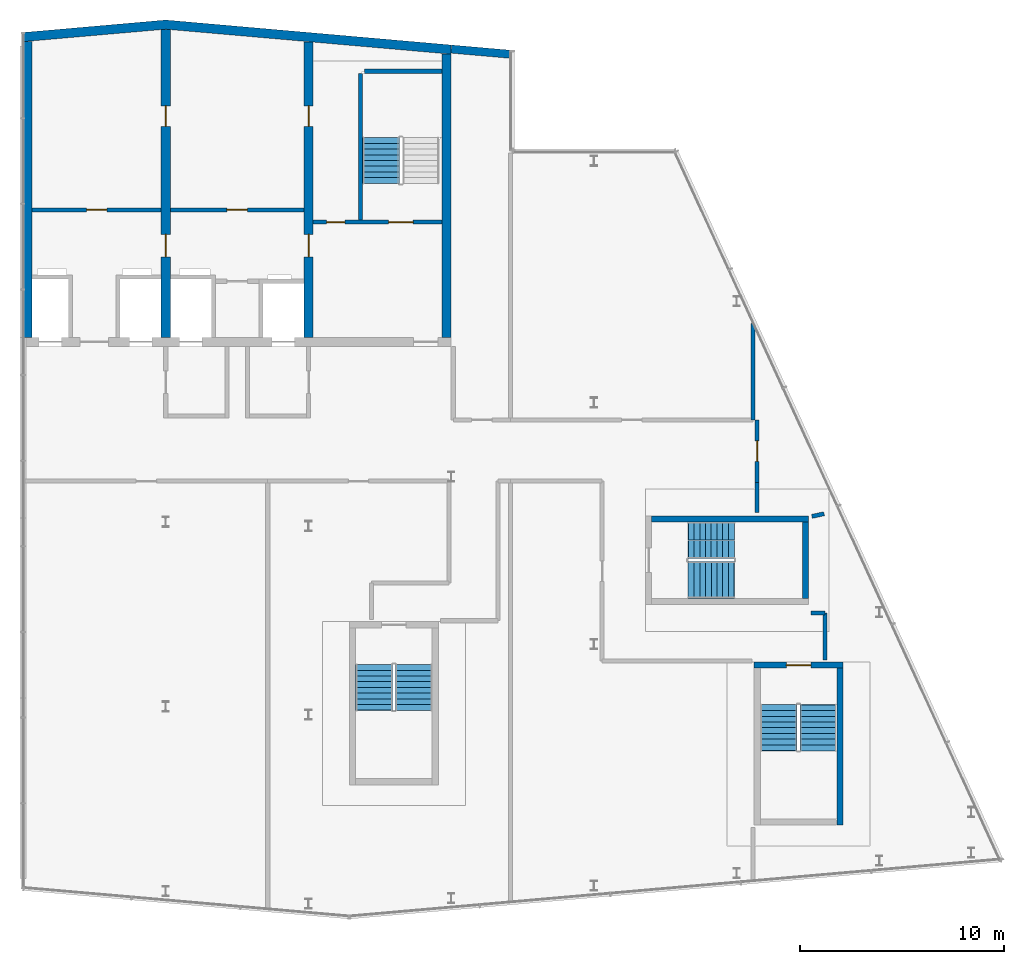
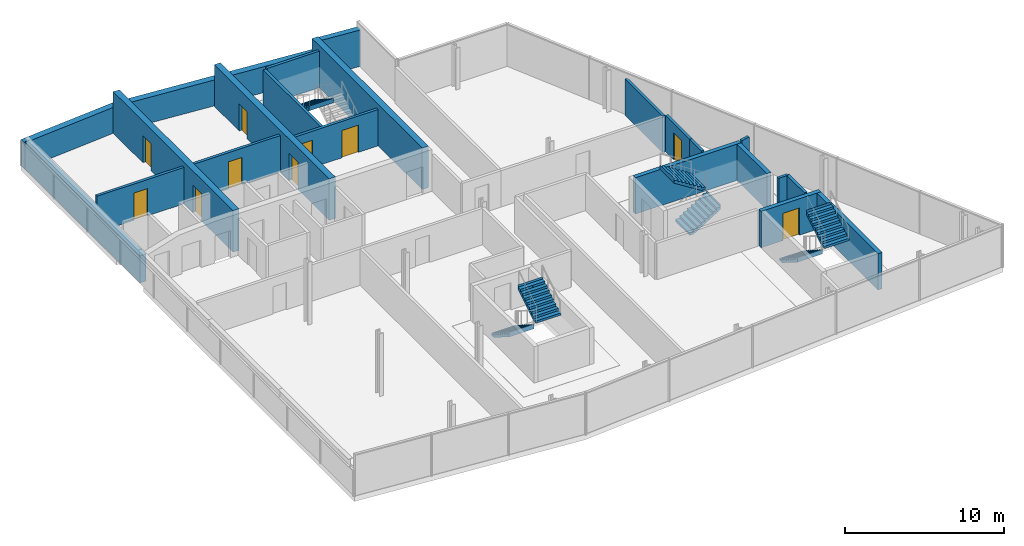
# One storey, part 10 of 13: 21 walls, 10 doors, 7 stair flights, 10 openings, 4 elements without a shape of their own.
"""IFC4 building model written with IfcOpenShell, lengths in metres."""

from ifc_helpers import new_model, si_unit, direction, frame, frame_2d, origin, place, context, subcontext, project, spatial, polyline, rectangle, outline, extrude, material, layer, layer_set, type_object, element, fill, aggregate, save


model = new_model("IFC4")

# Units and contexts
model_context = context("Model", 3, precision=1e-05, world=origin(), true_north=direction((0.0, 1.0)))
body_context = subcontext(model_context, "Body", "Model", "MODEL_VIEW")
ifc_project = project(units=[si_unit("LENGTHUNIT", "METRE"), si_unit("AREAUNIT", "SQUARE_METRE"), si_unit("VOLUMEUNIT", "CUBIC_METRE"), si_unit("PLANEANGLEUNIT", "RADIAN"), si_unit("MASSUNIT", "GRAM", prefix="KILO")], contexts=[model_context])

# Site, building, storey
site_placement = place(None, origin())
site = spatial("IfcSite", under=ifc_project, at=site_placement, CompositionType="ELEMENT")
building_placement = place(site_placement, origin())
building = spatial("IfcBuilding", under=site, at=building_placement, Name="Wharfspan Tower", CompositionType="ELEMENT")
storey_placement = place(building_placement, frame((0.0, 0.0, 264.300049)))
storey = spatial("IfcBuildingStorey", under=building, at=storey_placement, Name="L67", CompositionType="ELEMENT", Elevation=264.300049)

# Walls
ifc_material_1 = material(Name="Calcium silicate masonry", Category="masonry")
ifc_layer_1 = layer(ifc_material_1, 0.199951)
ifc_layer_set_1 = layer_set([ifc_layer_1], Name="Calcium silicate masonry")
wall_type_1 = type_object("IfcWallType", Name="Core room wall 200", PredefinedType="PARTITIONING", material=ifc_layer_set_1)
wall_1_placement = place(storey_placement, frame((65.800049, 35.12915, 0.0), z_axis=(0.0, 0.0, 1.0), x_axis=(0.0, -1.0, 0.0)))
element("IfcWall", 1, at=wall_1_placement, inside=storey, type_object=wall_type_1, Name="cr:L67:w16", PredefinedType="PARTITIONING", context=body_context, shape_type="SweptSolid", body=[
    extrude(rectangle(XDim=4.729248, YDim=0.199951, at=frame_2d((2.364746, 0.0))), origin(), (0.0, 0.0, 1.0), 2.800049),
])
wall_2_placement = place(storey_placement, frame((69.331543, 18.621582, 0.0), z_axis=(0.0, 0.0, 1.0), x_axis=(0.0, 1.0, 0.0)))
element("IfcWall", 2, at=wall_2_placement, inside=storey, type_object=wall_type_1, Name="cr:L67:w18", PredefinedType="PARTITIONING", context=body_context, shape_type="SweptSolid", body=[
    extrude(rectangle(XDim=2.300049, YDim=0.199951, at=frame_2d((1.149902, 0.0))), origin(), (0.0, 0.0, 1.0), 2.800049),
])
wall_3_placement = place(storey_placement, frame((69.331543, 20.921631, 0.0), z_axis=(0.0, 0.0, 1.0), x_axis=(-1.0, 0.0, 0.0)))
element("IfcWall", 3, at=wall_3_placement, inside=storey, type_object=wall_type_1, Name="cr:L67:w19", PredefinedType="PARTITIONING", context=body_context, shape_type="SweptSolid", body=[
    extrude(rectangle(XDim=0.699951, YDim=0.199951, at=frame_2d((0.350098, 0.0))), origin(), (0.0, 0.0, 1.0), 2.800049),
])

# Wall, opening, door
wall_4_placement = place(storey_placement, frame((66.0, 27.340088, 0.0), z_axis=(0.0, 0.0, 1.0), x_axis=(0.0, 1.0, 0.0)))
wall_4 = element("IfcWall", 4, at=wall_4_placement, inside=storey, type_object=wall_type_1, Name="cr:L67:w20", PredefinedType="PARTITIONING", context=body_context, shape_type="SweptSolid", body=[
    extrude(rectangle(XDim=3.059814, YDim=0.199951, at=frame_2d((1.529785, 0.0))), origin(), (0.0, 0.0, 1.0), 2.800049),
])
opening_1_placement = place(wall_4_placement, frame((1.030029, 0.0, 0.0)))
opening_1 = element("IfcOpeningElement", 5, at=opening_1_placement, cuts=wall_4, Name="Opening CD67.d5", PredefinedType="OPENING", context=body_context, shape_type="SweptSolid", body=[
    extrude(rectangle(XDim=1.0, YDim=2.100098, at=frame_2d((0.5, 1.050049))), frame((0.0, 0.109863, 0.0), z_axis=(0.0, -1.0, 0.0), x_axis=(1.0, 0.0, 0.0)), (0.0, 0.0, 1.0), 0.219971),
])
ifc_material_2 = material(Name="Steel door leaf", Category="steel")
door_type_1 = type_object("IfcDoorType", Name="Core room door 1000x2100", OperationType="SINGLE_SWING_LEFT", PredefinedType="DOOR", material=ifc_material_2)
door_1_placement = place(opening_1_placement, origin())
door_1 = element("IfcDoor", 6, at=door_1_placement, inside=storey, type_object=door_type_1, Name="cd:L67:d5", OperationType="SINGLE_SWING_LEFT", OverallHeight=2.100098, OverallWidth=1.0, PredefinedType="DOOR", context=body_context, shape_type="SweptSolid", body=[
    extrude(rectangle(XDim=1.0, YDim=2.100098, at=frame_2d((0.5, 1.050049))), frame((0.0, 0.024902, 0.0), z_axis=(0.0, -1.0, 0.0), x_axis=(1.0, 0.0, 0.0)), (0.0, 0.0, 1.0), 0.050049),
])
fill(opening_1, door_1)

# Walls
wall_5_placement = place(storey_placement, frame((68.688721, 25.666504, 0.0), z_axis=(0.0, 0.0, 1.0), x_axis=(0.976941, 0.213493, 0.0)))
element("IfcWall", 7, at=wall_5_placement, inside=storey, type_object=wall_type_1, Name="cr:L67:w23", PredefinedType="PARTITIONING", context=body_context, shape_type="SweptSolid", body=[
    extrude(rectangle(XDim=0.609619, YDim=0.199951, at=frame_2d((0.304688, 0.0))), origin(), (0.0, 0.0, 1.0), 2.800049),
])
wall_6_placement = place(storey_placement, frame((66.0, 25.84668, 0.0), z_axis=(0.0, 0.0, 1.0), x_axis=(0.0, 1.0, 0.0)))
element("IfcWall", 8, at=wall_6_placement, inside=storey, type_object=wall_type_1, Name="cr:L67:w25", PredefinedType="PARTITIONING", context=body_context, shape_type="SweptSolid", body=[
    extrude(rectangle(XDim=1.493408, YDim=0.199951, at=frame_2d((0.746582, 0.0))), origin(), (0.0, 0.0, 1.0), 2.800049),
])
ifc_material_3 = material(Name="Concrete C50/60", Category="concrete")
ifc_layer_2 = layer(ifc_material_3, 0.449951)
ifc_layer_set_2 = layer_set([ifc_layer_2], Name="Concrete C50/60")
wall_type_2 = type_object("IfcWallType", Name="Core wall 450 C50/60", PredefinedType="SHEAR", material=ifc_layer_set_2)
wall_7_placement = place(storey_placement, frame((0.0, 0.0, -0.000244)))
element("IfcWall", 9, at=wall_7_placement, inside=storey, type_object=wall_type_2, Name="Core rear wall L67", PredefinedType="SHEAR", context=body_context, shape_type="SweptSolid", body=[
    extrude(outline(polyline([(30.0, 48.947998), (37.0, 49.560547), (51.0, 48.335693), (51.0, 48.787354), (37.0, 50.012207), (30.0, 49.399902), (30.0, 48.947998)])), origin(), (0.0, 0.0, 1.0), 1.993896),
])
wall_8_placement = place(storey_placement, frame((30.225098, 34.449951, 0.0), z_axis=(0.0, 0.0, 1.0), x_axis=(0.0, 1.0, 0.0)))
element("IfcWall", 10, at=wall_8_placement, inside=storey, type_object=wall_type_2, Name="Core cross wall EW0 L67", PredefinedType="SHEAR", context=body_context, shape_type="SweptSolid", body=[
    extrude(rectangle(XDim=14.498047, YDim=0.449951, at=frame_2d((7.249023, 0.0))), origin(), (0.0, 0.0, 1.0), 2.084717),
])

# Wall, openings, doors
wall_9_placement = place(storey_placement, frame((37.0, 34.449951, 0.0), z_axis=(0.0, 0.0, 1.0), x_axis=(0.0, 1.0, 0.0)))
wall_9 = element("IfcWall", 11, at=wall_9_placement, inside=storey, type_object=wall_type_2, Name="Core cross wall X4 L67", PredefinedType="SHEAR", context=body_context, shape_type="SweptSolid", body=[
    extrude(rectangle(XDim=15.09082, YDim=0.449951, at=frame_2d((7.54541, 0.0))), origin(), (0.0, 0.0, 1.0), 3.199951),
])
opening_2_placement = place(wall_9_placement, frame((3.949951, 0.0, 0.0)))
opening_2 = element("IfcOpeningElement", 12, at=opening_2_placement, cuts=wall_9, Name="Opening CC67.4", PredefinedType="OPENING", context=body_context, shape_type="SweptSolid", body=[
    extrude(rectangle(XDim=1.100098, YDim=2.100098, at=frame_2d((0.550049, 1.050049))), frame((0.0, 0.234863, 0.0), z_axis=(0.0, -1.0, 0.0), x_axis=(1.0, 0.0, 0.0)), (0.0, 0.0, 1.0), 0.469971),
])
opening_3_placement = place(wall_9_placement, frame((10.350098, 0.0, 0.0)))
opening_3 = element("IfcOpeningElement", 13, at=opening_3_placement, cuts=wall_9, Name="Opening CR67.4", PredefinedType="OPENING", context=body_context, shape_type="SweptSolid", body=[
    extrude(rectangle(XDim=1.0, YDim=2.100098, at=frame_2d((0.5, 1.050049))), frame((0.0, 0.234863, 0.0), z_axis=(0.0, -1.0, 0.0), x_axis=(1.0, 0.0, 0.0)), (0.0, 0.0, 1.0), 0.469971),
])
door_type_2 = type_object("IfcDoorType", Name="Core corridor door 1100x2100", OperationType="SINGLE_SWING_LEFT", PredefinedType="DOOR", material=ifc_material_2)
door_2_placement = place(opening_2_placement, origin())
door_2 = element("IfcDoor", 14, at=door_2_placement, inside=storey, type_object=door_type_2, Name="xd:L67:4", OperationType="SINGLE_SWING_RIGHT", OverallHeight=2.100098, OverallWidth=1.100098, PredefinedType="DOOR", context=body_context, shape_type="SweptSolid", body=[
    extrude(rectangle(XDim=1.100098, YDim=2.100098, at=frame_2d((0.550049, 1.050049))), frame((0.0, 0.024902, 0.0), z_axis=(0.0, -1.0, 0.0), x_axis=(1.0, 0.0, 0.0)), (0.0, 0.0, 1.0), 0.050049),
])
fill(opening_2, door_2)
door_3_placement = place(opening_3_placement, origin())
door_3 = element("IfcDoor", 15, at=door_3_placement, inside=storey, type_object=door_type_1, Name="xr:L67:4", OperationType="SINGLE_SWING_RIGHT", OverallHeight=2.100098, OverallWidth=1.0, PredefinedType="DOOR", context=body_context, shape_type="SweptSolid", body=[
    extrude(rectangle(XDim=1.0, YDim=2.100098, at=frame_2d((0.5, 1.050049))), frame((0.0, 0.024902, 0.0), z_axis=(0.0, -1.0, 0.0), x_axis=(1.0, 0.0, 0.0)), (0.0, 0.0, 1.0), 0.050049),
])
fill(opening_3, door_3)

wall_10_placement = place(storey_placement, frame((44.0, 34.449951, 0.0), z_axis=(0.0, 0.0, 1.0), x_axis=(0.0, 1.0, 0.0)))
wall_10 = element("IfcWall", 16, at=wall_10_placement, inside=storey, type_object=wall_type_2, Name="Core cross wall X5 L67", PredefinedType="SHEAR", context=body_context, shape_type="SweptSolid", body=[
    extrude(rectangle(XDim=14.478516, YDim=0.449951, at=frame_2d((7.239258, 0.0))), origin(), (0.0, 0.0, 1.0), 3.199951),
])
opening_4_placement = place(wall_10_placement, frame((3.949951, 0.0, 0.0)))
opening_4 = element("IfcOpeningElement", 17, at=opening_4_placement, cuts=wall_10, Name="Opening CC67.5", PredefinedType="OPENING", context=body_context, shape_type="SweptSolid", body=[
    extrude(rectangle(XDim=1.100098, YDim=2.100098, at=frame_2d((0.550049, 1.050049))), frame((0.0, 0.234863, 0.0), z_axis=(0.0, -1.0, 0.0), x_axis=(1.0, 0.0, 0.0)), (0.0, 0.0, 1.0), 0.469971),
])
opening_5_placement = place(wall_10_placement, frame((10.350098, 0.0, 0.0)))
opening_5 = element("IfcOpeningElement", 18, at=opening_5_placement, cuts=wall_10, Name="Opening CR67.5", PredefinedType="OPENING", context=body_context, shape_type="SweptSolid", body=[
    extrude(rectangle(XDim=1.0, YDim=2.100098, at=frame_2d((0.5, 1.050049))), frame((0.0, 0.234863, 0.0), z_axis=(0.0, -1.0, 0.0), x_axis=(1.0, 0.0, 0.0)), (0.0, 0.0, 1.0), 0.469971),
])
door_4_placement = place(opening_4_placement, origin())
door_4 = element("IfcDoor", 19, at=door_4_placement, inside=storey, type_object=door_type_2, Name="xd:L67:5", OperationType="SINGLE_SWING_LEFT", OverallHeight=2.100098, OverallWidth=1.100098, PredefinedType="DOOR", context=body_context, shape_type="SweptSolid", body=[
    extrude(rectangle(XDim=1.100098, YDim=2.100098, at=frame_2d((0.550049, 1.050049))), frame((0.0, 0.024902, 0.0), z_axis=(0.0, -1.0, 0.0), x_axis=(1.0, 0.0, 0.0)), (0.0, 0.0, 1.0), 0.050049),
])
fill(opening_4, door_4)
door_5_placement = place(opening_5_placement, origin())
door_5 = element("IfcDoor", 20, at=door_5_placement, inside=storey, type_object=door_type_1, Name="xr:L67:5", OperationType="SINGLE_SWING_RIGHT", OverallHeight=2.100098, OverallWidth=1.0, PredefinedType="DOOR", context=body_context, shape_type="SweptSolid", body=[
    extrude(rectangle(XDim=1.0, YDim=2.100098, at=frame_2d((0.5, 1.050049))), frame((0.0, 0.024902, 0.0), z_axis=(0.0, -1.0, 0.0), x_axis=(1.0, 0.0, 0.0)), (0.0, 0.0, 1.0), 0.050049),
])
fill(opening_5, door_5)

# Wall
wall_11_placement = place(storey_placement, frame((50.774902, 34.449951, 0.0), z_axis=(0.0, 0.0, 1.0), x_axis=(0.0, 1.0, 0.0)))
element("IfcWall", 21, at=wall_11_placement, inside=storey, type_object=wall_type_2, Name="Core cross wall EW1 L67", PredefinedType="SHEAR", context=body_context, shape_type="SweptSolid", body=[
    extrude(rectangle(XDim=13.885742, YDim=0.449951, at=frame_2d((6.942871, 0.0))), origin(), (0.0, 0.0, 1.0), 3.199951),
])

# Wall, opening, door
ifc_material_4 = material(Name="Concrete C30/37", Category="concrete")
ifc_layer_3 = layer(ifc_material_4, 0.199951)
ifc_layer_set_3 = layer_set([ifc_layer_3], Name="Concrete C30/37")
wall_type_3 = type_object("IfcWallType", Name="Lift shaft wall 200", PredefinedType="PARTITIONING", material=ifc_layer_set_3)
wall_12_placement = place(storey_placement, frame((30.449951, 40.699951, 0.0), z_axis=(0.0, 0.0, 1.0), x_axis=(1.0, 0.0, 0.0)))
wall_12 = element("IfcWall", 22, at=wall_12_placement, inside=storey, type_object=wall_type_3, Name="sw:L67:RF3", PredefinedType="PARTITIONING", context=body_context, shape_type="SweptSolid", body=[
    extrude(rectangle(XDim=6.324951, YDim=0.199951, at=frame_2d((3.162598, 0.0))), origin(), (0.0, 0.0, 1.0), 2.800049),
])
opening_6_placement = place(wall_12_placement, frame((2.662598, 0.0, 0.0)))
opening_6 = element("IfcOpeningElement", 23, at=opening_6_placement, cuts=wall_12, Name="Opening CD67.3S", PredefinedType="OPENING", context=body_context, shape_type="SweptSolid", body=[
    extrude(rectangle(XDim=1.0, YDim=2.100098, at=frame_2d((0.5, 1.050049))), frame((0.0, 0.109863, 0.0), z_axis=(0.0, -1.0, 0.0), x_axis=(1.0, 0.0, 0.0)), (0.0, 0.0, 1.0), 0.219971),
])
door_6_placement = place(opening_6_placement, origin())
door_6 = element("IfcDoor", 24, at=door_6_placement, inside=storey, type_object=door_type_1, Name="d:L67:3:sf", OperationType="SINGLE_SWING_LEFT", OverallHeight=2.100098, OverallWidth=1.0, PredefinedType="DOOR", context=body_context, shape_type="SweptSolid", body=[
    extrude(rectangle(XDim=1.0, YDim=2.100098, at=frame_2d((0.5, 1.050049))), frame((0.0, 0.024902, 0.0), z_axis=(0.0, -1.0, 0.0), x_axis=(1.0, 0.0, 0.0)), (0.0, 0.0, 1.0), 0.050049),
])
fill(opening_6, door_6)

wall_13_placement = place(storey_placement, frame((37.225098, 40.699951, 0.0), z_axis=(0.0, 0.0, 1.0), x_axis=(1.0, 0.0, 0.0)))
wall_13 = element("IfcWall", 25, at=wall_13_placement, inside=storey, type_object=wall_type_3, Name="sw:L67:RF4", PredefinedType="PARTITIONING", context=body_context, shape_type="SweptSolid", body=[
    extrude(rectangle(XDim=6.549805, YDim=0.199951, at=frame_2d((3.274902, 0.0))), origin(), (0.0, 0.0, 1.0), 2.800049),
])
opening_7_placement = place(wall_13_placement, frame((2.774902, 0.0, 0.0)))
opening_7 = element("IfcOpeningElement", 26, at=opening_7_placement, cuts=wall_13, Name="Opening CD67.4S", PredefinedType="OPENING", context=body_context, shape_type="SweptSolid", body=[
    extrude(rectangle(XDim=1.0, YDim=2.100098, at=frame_2d((0.5, 1.050049))), frame((0.0, 0.109863, 0.0), z_axis=(0.0, -1.0, 0.0), x_axis=(1.0, 0.0, 0.0)), (0.0, 0.0, 1.0), 0.219971),
])
door_7_placement = place(opening_7_placement, origin())
door_7 = element("IfcDoor", 27, at=door_7_placement, inside=storey, type_object=door_type_1, Name="d:L67:4:sf", OperationType="SINGLE_SWING_LEFT", OverallHeight=2.100098, OverallWidth=1.0, PredefinedType="DOOR", context=body_context, shape_type="SweptSolid", body=[
    extrude(rectangle(XDim=1.0, YDim=2.100098, at=frame_2d((0.5, 1.050049))), frame((0.0, 0.024902, 0.0), z_axis=(0.0, -1.0, 0.0), x_axis=(1.0, 0.0, 0.0)), (0.0, 0.0, 1.0), 0.050049),
])
fill(opening_7, door_7)

ifc_material_5 = material(Name="Concrete C40/50", Category="concrete")
ifc_layer_4 = layer(ifc_material_5, 0.300049)
ifc_layer_set_4 = layer_set([ifc_layer_4], Name="Concrete C40/50")
wall_type_4 = type_object("IfcWallType", Name="Stair core wall 300", PredefinedType="SHEAR", material=ifc_layer_set_4)
wall_14_placement = place(storey_placement, frame((65.856689, 18.371582, 0.0), z_axis=(0.0, 0.0, 1.0), x_axis=(1.0, 0.0, 0.0)))
wall_14 = element("IfcWall", 28, at=wall_14_placement, inside=storey, type_object=wall_type_4, Name="ST7 stair enclosure wall L67", PredefinedType="SHEAR", context=body_context, shape_type="SweptSolid", body=[
    extrude(rectangle(XDim=4.349854, YDim=0.300049, at=frame_2d((2.174805, 0.0))), origin(), (0.0, 0.0, 1.0), 2.800049),
])
opening_8_placement = place(wall_14_placement, frame((1.574951, 0.0, 0.0)))
opening_8 = element("IfcOpeningElement", 29, at=opening_8_placement, cuts=wall_14, Name="Opening SD7.L67", PredefinedType="OPENING", context=body_context, shape_type="SweptSolid", body=[
    extrude(rectangle(XDim=1.199951, YDim=2.100098, at=frame_2d((0.600098, 1.050049))), frame((0.0, 0.159912, 0.0), z_axis=(0.0, -1.0, 0.0), x_axis=(1.0, 0.0, 0.0)), (0.0, 0.0, 1.0), 0.320068),
])
door_type_3 = type_object("IfcDoorType", Name="Stair door 1200x2100", OperationType="SINGLE_SWING_LEFT", PredefinedType="DOOR", material=ifc_material_2)
door_8_placement = place(opening_8_placement, origin())
door_8 = element("IfcDoor", 30, at=door_8_placement, inside=storey, type_object=door_type_3, Name="sd:L67:ST7z5", OperationType="SINGLE_SWING_RIGHT", OverallHeight=2.100098, OverallWidth=1.199951, PredefinedType="DOOR", context=body_context, shape_type="SweptSolid", body=[
    extrude(rectangle(XDim=1.199951, YDim=2.100098, at=frame_2d((0.600098, 1.050049))), frame((0.0, 0.024902, 0.0), z_axis=(0.0, -1.0, 0.0), x_axis=(1.0, 0.0, 0.0)), (0.0, 0.0, 1.0), 0.050049),
])
fill(opening_8, door_8)

# Walls
for number, where, z_axis, x_axis, name in (
    (31, (70.056641, 10.521729, 0.0), (0.0, 0.0, 1.0), (0.0, 1.0, 0.0), "ST7 stair enclosure wall L67"),
    (32, (60.831543, 25.546631, 0.0), (0.0, 0.0, 1.0), (1.0, 0.0, 0.0), "ST8 stair enclosure wall L67"),
):
    element("IfcWall", number, at=place(storey_placement, frame(where, z_axis=z_axis, x_axis=x_axis)), inside=storey, type_object=wall_type_4, Name=name, PredefinedType="SHEAR", context=body_context, shape_type="SweptSolid", body=[
        extrude(rectangle(XDim=7.699951, YDim=0.300049, at=frame_2d((3.850098, 0.0))), origin(), (0.0, 0.0, 1.0), 2.800049),
    ])
wall_15_placement = place(storey_placement, frame((68.381592, 21.646729, 0.0), z_axis=(0.0, 0.0, 1.0), x_axis=(0.0, 1.0, 0.0)))
element("IfcWall", 33, at=wall_15_placement, inside=storey, type_object=wall_type_4, Name="ST8 stair enclosure wall L67", PredefinedType="SHEAR", context=body_context, shape_type="SweptSolid", body=[
    extrude(rectangle(XDim=3.75, YDim=0.300049, at=frame_2d((1.875, 0.0))), origin(), (0.0, 0.0, 1.0), 2.800049),
])

# Wall, openings, doors
ifc_layer_5 = layer(ifc_material_5, 0.199951)
ifc_layer_set_5 = layer_set([ifc_layer_5], Name="Concrete C40/50")
wall_type_5 = type_object("IfcWallType", Name="Stair shaft wall 200", PredefinedType="SHEAR", material=ifc_layer_set_5)
wall_16_placement = place(storey_placement, frame((44.225098, 40.100098, 0.0), z_axis=(0.0, 0.0, 1.0), x_axis=(1.0, 0.0, 0.0)))
wall_16 = element("IfcWall", 34, at=wall_16_placement, inside=storey, type_object=wall_type_5, Name="ST2 stair enclosure wall L67", PredefinedType="SHEAR", context=body_context, shape_type="SweptSolid", body=[
    extrude(rectangle(XDim=6.324951, YDim=0.199951, at=frame_2d((3.162598, 0.0))), origin(), (0.0, 0.0, 1.0), 2.800049),
])
opening_9_placement = place(wall_16_placement, frame((3.699951, 0.0, 0.0)))
opening_9 = element("IfcOpeningElement", 35, at=opening_9_placement, cuts=wall_16, Name="Opening SD5.L67", PredefinedType="OPENING", context=body_context, shape_type="SweptSolid", body=[
    extrude(rectangle(XDim=1.199951, YDim=2.100098, at=frame_2d((0.600098, 1.050049))), frame((0.0, 0.109863, 0.0), z_axis=(0.0, -1.0, 0.0), x_axis=(1.0, 0.0, 0.0)), (0.0, 0.0, 1.0), 0.219971),
])
opening_10_placement = place(wall_16_placement, frame((0.662598, 0.0, 0.0)))
opening_10 = element("IfcOpeningElement", 36, at=opening_10_placement, cuts=wall_16, Name="Opening CD67.5R", PredefinedType="OPENING", context=body_context, shape_type="SweptSolid", body=[
    extrude(rectangle(XDim=0.899902, YDim=2.100098, at=frame_2d((0.449951, 1.050049))), frame((0.0, 0.109863, 0.0), z_axis=(0.0, -1.0, 0.0), x_axis=(1.0, 0.0, 0.0)), (0.0, 0.0, 1.0), 0.219971),
])
door_9_placement = place(opening_10_placement, origin())
door_9 = element("IfcDoor", 37, at=door_9_placement, inside=storey, type_object=door_type_1, Name="rk:L67:5", OperationType="SINGLE_SWING_LEFT", OverallHeight=2.100098, OverallWidth=0.899902, PredefinedType="DOOR", context=body_context, shape_type="SweptSolid", body=[
    extrude(rectangle(XDim=0.899902, YDim=2.100098, at=frame_2d((0.449951, 1.050049))), frame((0.0, 0.024902, 0.0), z_axis=(0.0, -1.0, 0.0), x_axis=(1.0, 0.0, 0.0)), (0.0, 0.0, 1.0), 0.050049),
])
fill(opening_10, door_9)
door_10_placement = place(opening_9_placement, origin())
door_10 = element("IfcDoor", 38, at=door_10_placement, inside=storey, type_object=door_type_3, Name="sd:L67:5", OperationType="SINGLE_SWING_RIGHT", OverallHeight=2.100098, OverallWidth=1.199951, PredefinedType="DOOR", context=body_context, shape_type="SweptSolid", body=[
    extrude(rectangle(XDim=1.199951, YDim=2.100098, at=frame_2d((0.600098, 1.050049))), frame((0.0, 0.024902, 0.0), z_axis=(0.0, -1.0, 0.0), x_axis=(1.0, 0.0, 0.0)), (0.0, 0.0, 1.0), 0.050049),
])
fill(opening_9, door_10)

# Walls
wall_17_placement = place(storey_placement, frame((46.550049, 40.199951, 0.0), z_axis=(0.0, 0.0, 1.0), x_axis=(0.0, 1.0, 0.0)))
element("IfcWall", 39, at=wall_17_placement, inside=storey, type_object=wall_type_5, Name="ST2 stair enclosure wall L67", PredefinedType="SHEAR", context=body_context, shape_type="SweptSolid", body=[
    extrude(rectangle(XDim=7.199951, YDim=0.199951, at=frame_2d((3.600098, 0.0))), origin(), (0.0, 0.0, 1.0), 2.800049),
])
wall_18_placement = place(storey_placement, frame((46.75, 47.5, 0.0), z_axis=(0.0, 0.0, 1.0), x_axis=(1.0, 0.0, 0.0)))
element("IfcWall", 40, at=wall_18_placement, inside=storey, type_object=wall_type_5, Name="ST2 stair enclosure wall L67", PredefinedType="SHEAR", context=body_context, shape_type="SweptSolid", body=[
    extrude(rectangle(XDim=3.800049, YDim=0.199951, at=frame_2d((1.899902, 0.0))), origin(), (0.0, 0.0, 1.0), 2.800049),
])
ifc_layer_6 = layer(ifc_material_5, 0.399902)
ifc_layer_set_6 = layer_set([ifc_layer_6], Name="Concrete C40/50")
wall_type_6 = type_object("IfcWallType", Name="WALL EXPOSED CONCRETE 400", PredefinedType="SOLIDWALL", material=ifc_layer_set_6)
wall_19_placement = place(storey_placement, frame((53.982666, 48.325684, 0.0), z_axis=(0.0, 0.0, 1.0), x_axis=(-0.996194, 0.087168, 0.0)))
element("IfcWall", 41, at=wall_19_placement, inside=storey, type_object=wall_type_6, Name="Rear wall N2", PredefinedType="SOLIDWALL", context=body_context, shape_type="SweptSolid", body=[
    extrude(rectangle(XDim=2.994141, YDim=0.399902, at=frame_2d((1.49707, 0.0))), origin(), (0.0, 0.0, 1.0), 2.800049),
])

# Stair, stair flight
stair_type = type_object("IfcStairType", Name="Half-turn stair 18 risers 178 mm", PredefinedType="HALF_TURN_STAIR", material=ifc_material_5)
stair_1_placement = place(storey_placement, origin())
stair_1 = element("IfcStair", 42, at=stair_1_placement, inside=storey, type_object=stair_type, Name="L67 stair ST2", PredefinedType="HALF_TURN_STAIR")
stair_flight_type = type_object("IfcStairFlightType", Name="Stair flight 18 risers 178 mm", PredefinedType="STRAIGHT", material=ifc_material_5)
stair_flight_1_placement = place(storey_placement, frame((47.550049, 44.23999, 1.599854), z_axis=(0.0, 0.0, 1.0), x_axis=(0.0, -1.0, 0.0)))
stair_flight_1 = element("IfcStairFlight", 43, at=stair_flight_1_placement, type_object=stair_flight_type, Name="ST2 flight 2", NumberOfRisers=9, NumberOfTreads=8, PredefinedType="STRAIGHT", RiserHeight=0.177778, TreadLength=0.28, context=body_context, shape_type="SweptSolid", body=[
    extrude(outline(polyline([(-0.011963, 0.0), (-0.011963, 0.177734), (0.0, 0.177734), (0.280029, 0.177734), (0.280029, 0.355469), (0.560059, 0.355469), (0.560059, 0.533447), (0.840088, 0.533447), (0.840088, 0.711182), (1.120117, 0.711182), (1.120117, 0.888916), (1.399902, 0.888916), (1.399902, 1.06665), (1.679932, 1.06665), (1.679932, 1.244385), (1.959961, 1.244385), (1.959961, 1.422119), (2.23999, 1.422119), (2.251953, 1.600098), (2.251953, 1.244629), (0.279785, 0.0), (-0.011963, 0.0)])), frame((0.0, 0.899902, 0.0), z_axis=(0.0, -1.0, 0.0), x_axis=(1.0, 0.0, 0.0)), (0.0, 0.0, 1.0), 0.899414),
    extrude(outline(polyline([(-0.011963, 0.0), (-0.011963, 0.177734), (0.0, 0.177734), (0.280029, 0.177734), (0.280029, 0.355469), (0.560059, 0.355469), (0.560059, 0.533447), (0.840088, 0.533447), (0.840088, 0.711182), (1.120117, 0.711182), (1.120117, 0.888916), (1.399902, 0.888916), (1.399902, 1.06665), (1.679932, 1.06665), (1.679932, 1.244385), (1.959961, 1.244385), (1.959961, 1.422119), (2.23999, 1.422119), (2.251953, 1.600098), (2.251953, 1.244629), (0.279785, 0.0), (-0.011963, 0.0)])), frame((0.0, -0.000488, 0.0), z_axis=(0.0, -1.0, 0.0), x_axis=(1.0, 0.0, 0.0)), (0.0, 0.0, 1.0), 0.899414),
])
aggregate(stair_1, [stair_flight_1])

# Stair, stair flights
stair_2_placement = place(storey_placement, origin())
stair_2 = element("IfcStair", 44, at=stair_2_placement, inside=storey, type_object=stair_type, Name="L67 stair ST7", PredefinedType="HALF_TURN_STAIR")
stair_flight_2_placement = place(storey_placement, frame((67.056641, 16.421631, 0.0), z_axis=(0.0, 0.0, 1.0), x_axis=(0.0, -1.0, 0.0)))
stair_flight_2 = element("IfcStairFlight", 45, at=stair_flight_2_placement, type_object=stair_flight_type, Name="ST7 flight 1", NumberOfRisers=9, NumberOfTreads=8, PredefinedType="STRAIGHT", RiserHeight=0.177778, TreadLength=0.28, context=body_context, shape_type="SweptSolid", body=[
    extrude(outline(polyline([(-0.011963, 0.0), (-0.011963, 0.177734), (0.0, 0.177734), (0.280029, 0.177734), (0.280029, 0.355469), (0.560059, 0.355469), (0.560059, 0.533447), (0.840088, 0.533447), (0.840088, 0.711182), (1.120117, 0.711182), (1.120117, 0.888916), (1.399902, 0.888916), (1.399902, 1.06665), (1.679932, 1.06665), (1.679932, 1.244385), (1.959961, 1.244385), (1.959961, 1.422119), (2.23999, 1.422119), (2.251953, 1.600098), (2.251953, 1.244629), (0.279785, 0.0), (-0.011963, 0.0)])), frame((0.0, 0.899902, 0.0), z_axis=(0.0, -1.0, 0.0), x_axis=(1.0, 0.0, 0.0)), (0.0, 0.0, 1.0), 0.899414),
    extrude(outline(polyline([(-0.011963, 0.0), (-0.011963, 0.177734), (0.0, 0.177734), (0.280029, 0.177734), (0.280029, 0.355469), (0.560059, 0.355469), (0.560059, 0.533447), (0.840088, 0.533447), (0.840088, 0.711182), (1.120117, 0.711182), (1.120117, 0.888916), (1.399902, 0.888916), (1.399902, 1.06665), (1.679932, 1.06665), (1.679932, 1.244385), (1.959961, 1.244385), (1.959961, 1.422119), (2.23999, 1.422119), (2.251953, 1.600098), (2.251953, 1.244629), (0.279785, 0.0), (-0.011963, 0.0)])), frame((0.0, -0.000488, 0.0), z_axis=(0.0, -1.0, 0.0), x_axis=(1.0, 0.0, 0.0)), (0.0, 0.0, 1.0), 0.899414),
])
stair_flight_3_placement = place(storey_placement, frame((69.006592, 14.181641, 1.599854), z_axis=(0.0, 0.0, 1.0), x_axis=(0.0, 1.0, 0.0)))
stair_flight_3 = element("IfcStairFlight", 46, at=stair_flight_3_placement, type_object=stair_flight_type, Name="ST7 flight 2", NumberOfRisers=9, NumberOfTreads=8, PredefinedType="STRAIGHT", RiserHeight=0.177778, TreadLength=0.28, context=body_context, shape_type="SweptSolid", body=[
    extrude(outline(polyline([(-0.011963, 0.0), (-0.011963, 0.177734), (0.0, 0.177734), (0.280029, 0.177734), (0.280029, 0.355469), (0.560059, 0.355469), (0.560059, 0.533447), (0.840088, 0.533447), (0.840088, 0.711182), (1.120117, 0.711182), (1.120117, 0.888916), (1.399902, 0.888916), (1.399902, 1.06665), (1.679932, 1.06665), (1.679932, 1.244385), (1.959961, 1.244385), (1.959961, 1.422119), (2.23999, 1.422119), (2.251953, 1.600098), (2.251953, 1.244629), (0.279785, 0.0), (-0.011963, 0.0)])), frame((0.0, 0.899902, 0.0), z_axis=(0.0, -1.0, 0.0), x_axis=(1.0, 0.0, 0.0)), (0.0, 0.0, 1.0), 0.899414),
    extrude(outline(polyline([(-0.011963, 0.0), (-0.011963, 0.177734), (0.0, 0.177734), (0.280029, 0.177734), (0.280029, 0.355469), (0.560059, 0.355469), (0.560059, 0.533447), (0.840088, 0.533447), (0.840088, 0.711182), (1.120117, 0.711182), (1.120117, 0.888916), (1.399902, 0.888916), (1.399902, 1.06665), (1.679932, 1.06665), (1.679932, 1.244385), (1.959961, 1.244385), (1.959961, 1.422119), (2.23999, 1.422119), (2.251953, 1.600098), (2.251953, 1.244629), (0.279785, 0.0), (-0.011963, 0.0)])), frame((0.0, -0.000488, 0.0), z_axis=(0.0, -1.0, 0.0), x_axis=(1.0, 0.0, 0.0)), (0.0, 0.0, 1.0), 0.899414),
])
aggregate(stair_2, [stair_flight_2, stair_flight_3])

stair_3_placement = place(storey_placement, origin())
stair_3 = element("IfcStair", 47, at=stair_3_placement, inside=storey, type_object=stair_type, Name="L67 stair ST8", PredefinedType="HALF_TURN_STAIR")
stair_flight_4_placement = place(storey_placement, frame((62.631592, 22.546631, 0.0), z_axis=(0.0, 0.0, 1.0), x_axis=(1.0, 0.0, 0.0)))
stair_flight_4 = element("IfcStairFlight", 48, at=stair_flight_4_placement, type_object=stair_flight_type, Name="ST8 flight 1", NumberOfRisers=9, NumberOfTreads=8, PredefinedType="STRAIGHT", RiserHeight=0.177778, TreadLength=0.28, context=body_context, shape_type="SweptSolid", body=[
    extrude(outline(polyline([(-0.011963, 0.0), (-0.011963, 0.177734), (0.0, 0.177734), (0.280029, 0.177734), (0.280029, 0.355469), (0.560059, 0.355469), (0.560059, 0.533447), (0.840088, 0.533447), (0.840088, 0.711182), (1.120117, 0.711182), (1.120117, 0.888916), (1.399902, 0.888916), (1.399902, 1.06665), (1.679932, 1.06665), (1.679932, 1.244385), (1.959961, 1.244385), (1.959961, 1.422119), (2.23999, 1.422119), (2.251953, 1.600098), (2.251953, 1.244629), (0.279785, 0.0), (-0.011963, 0.0)])), frame((0.0, 0.899902, 0.0), z_axis=(0.0, -1.0, 0.0), x_axis=(1.0, 0.0, 0.0)), (0.0, 0.0, 1.0), 0.899414),
    extrude(outline(polyline([(-0.011963, 0.0), (-0.011963, 0.177734), (0.0, 0.177734), (0.280029, 0.177734), (0.280029, 0.355469), (0.560059, 0.355469), (0.560059, 0.533447), (0.840088, 0.533447), (0.840088, 0.711182), (1.120117, 0.711182), (1.120117, 0.888916), (1.399902, 0.888916), (1.399902, 1.06665), (1.679932, 1.06665), (1.679932, 1.244385), (1.959961, 1.244385), (1.959961, 1.422119), (2.23999, 1.422119), (2.251953, 1.600098), (2.251953, 1.244629), (0.279785, 0.0), (-0.011963, 0.0)])), frame((0.0, -0.000488, 0.0), z_axis=(0.0, -1.0, 0.0), x_axis=(1.0, 0.0, 0.0)), (0.0, 0.0, 1.0), 0.899414),
])
stair_flight_5_placement = place(storey_placement, frame((64.871582, 24.496826, 1.599854), z_axis=(0.0, 0.0, 1.0), x_axis=(-1.0, 0.0, 0.0)))
stair_flight_5 = element("IfcStairFlight", 49, at=stair_flight_5_placement, type_object=stair_flight_type, Name="ST8 flight 2", NumberOfRisers=9, NumberOfTreads=8, PredefinedType="STRAIGHT", RiserHeight=0.177778, TreadLength=0.28, context=body_context, shape_type="SweptSolid", body=[
    extrude(outline(polyline([(-0.011963, 0.0), (-0.011963, 0.177734), (0.0, 0.177734), (0.280029, 0.177734), (0.280029, 0.355469), (0.560059, 0.355469), (0.560059, 0.533447), (0.840088, 0.533447), (0.840088, 0.711182), (1.120117, 0.711182), (1.120117, 0.888916), (1.399902, 0.888916), (1.399902, 1.06665), (1.679932, 1.06665), (1.679932, 1.244385), (1.959961, 1.244385), (1.959961, 1.422119), (2.23999, 1.422119), (2.251953, 1.600098), (2.251953, 1.244629), (0.279785, 0.0), (-0.011963, 0.0)])), frame((0.0, 0.899902, 0.0), z_axis=(0.0, -1.0, 0.0), x_axis=(1.0, 0.0, 0.0)), (0.0, 0.0, 1.0), 0.899414),
    extrude(outline(polyline([(-0.011963, 0.0), (-0.011963, 0.177734), (0.0, 0.177734), (0.280029, 0.177734), (0.280029, 0.355469), (0.560059, 0.355469), (0.560059, 0.533447), (0.840088, 0.533447), (0.840088, 0.711182), (1.120117, 0.711182), (1.120117, 0.888916), (1.399902, 0.888916), (1.399902, 1.06665), (1.679932, 1.06665), (1.679932, 1.244385), (1.959961, 1.244385), (1.959961, 1.422119), (2.23999, 1.422119), (2.251953, 1.600098), (2.251953, 1.244629), (0.279785, 0.0), (-0.011963, 0.0)])), frame((0.0, -0.000488, 0.0), z_axis=(0.0, -1.0, 0.0), x_axis=(1.0, 0.0, 0.0)), (0.0, 0.0, 1.0), 0.899414),
])
aggregate(stair_3, [stair_flight_4, stair_flight_5])

stair_4_placement = place(storey_placement, origin())
stair_4 = element("IfcStair", 50, at=stair_4_placement, inside=storey, type_object=stair_type, Name="L67 stair ST9", PredefinedType="HALF_TURN_STAIR")
stair_flight_6_placement = place(storey_placement, frame((47.216064, 18.400391, 0.0), z_axis=(0.0, 0.0, 1.0), x_axis=(0.0, -1.0, 0.0)))
stair_flight_6 = element("IfcStairFlight", 51, at=stair_flight_6_placement, type_object=stair_flight_type, Name="ST9 flight 1", NumberOfRisers=9, NumberOfTreads=8, PredefinedType="STRAIGHT", RiserHeight=0.177778, TreadLength=0.28, context=body_context, shape_type="SweptSolid", body=[
    extrude(outline(polyline([(-0.011963, 0.0), (-0.011963, 0.177734), (0.0, 0.177734), (0.280029, 0.177734), (0.280029, 0.355469), (0.560059, 0.355469), (0.560059, 0.533447), (0.840088, 0.533447), (0.840088, 0.711182), (1.120117, 0.711182), (1.120117, 0.888916), (1.399902, 0.888916), (1.399902, 1.06665), (1.679932, 1.06665), (1.679932, 1.244385), (1.959961, 1.244385), (1.959961, 1.422119), (2.23999, 1.422119), (2.251953, 1.600098), (2.251953, 1.244629), (0.279785, 0.0), (-0.011963, 0.0)])), frame((0.0, 0.899902, 0.0), z_axis=(0.0, -1.0, 0.0), x_axis=(1.0, 0.0, 0.0)), (0.0, 0.0, 1.0), 0.899414),
    extrude(outline(polyline([(-0.011963, 0.0), (-0.011963, 0.177734), (0.0, 0.177734), (0.280029, 0.177734), (0.280029, 0.355469), (0.560059, 0.355469), (0.560059, 0.533447), (0.840088, 0.533447), (0.840088, 0.711182), (1.120117, 0.711182), (1.120117, 0.888916), (1.399902, 0.888916), (1.399902, 1.06665), (1.679932, 1.06665), (1.679932, 1.244385), (1.959961, 1.244385), (1.959961, 1.422119), (2.23999, 1.422119), (2.251953, 1.600098), (2.251953, 1.244629), (0.279785, 0.0), (-0.011963, 0.0)])), frame((0.0, -0.000488, 0.0), z_axis=(0.0, -1.0, 0.0), x_axis=(1.0, 0.0, 0.0)), (0.0, 0.0, 1.0), 0.899414),
])
stair_flight_7_placement = place(storey_placement, frame((49.166016, 16.1604, 1.599854), z_axis=(0.0, 0.0, 1.0), x_axis=(0.0, 1.0, 0.0)))
stair_flight_7 = element("IfcStairFlight", 52, at=stair_flight_7_placement, type_object=stair_flight_type, Name="ST9 flight 2", NumberOfRisers=9, NumberOfTreads=8, PredefinedType="STRAIGHT", RiserHeight=0.177778, TreadLength=0.28, context=body_context, shape_type="SweptSolid", body=[
    extrude(outline(polyline([(-0.011963, 0.0), (-0.011963, 0.177734), (0.0, 0.177734), (0.280029, 0.177734), (0.280029, 0.355469), (0.560059, 0.355469), (0.560059, 0.533447), (0.840088, 0.533447), (0.840088, 0.711182), (1.120117, 0.711182), (1.120117, 0.888916), (1.399902, 0.888916), (1.399902, 1.06665), (1.679932, 1.06665), (1.679932, 1.244385), (1.959961, 1.244385), (1.959961, 1.422119), (2.23999, 1.422119), (2.251953, 1.600098), (2.251953, 1.244629), (0.279785, 0.0), (-0.011963, 0.0)])), frame((0.0, 0.899902, 0.0), z_axis=(0.0, -1.0, 0.0), x_axis=(1.0, 0.0, 0.0)), (0.0, 0.0, 1.0), 0.899414),
    extrude(outline(polyline([(-0.011963, 0.0), (-0.011963, 0.177734), (0.0, 0.177734), (0.280029, 0.177734), (0.280029, 0.355469), (0.560059, 0.355469), (0.560059, 0.533447), (0.840088, 0.533447), (0.840088, 0.711182), (1.120117, 0.711182), (1.120117, 0.888916), (1.399902, 0.888916), (1.399902, 1.06665), (1.679932, 1.06665), (1.679932, 1.244385), (1.959961, 1.244385), (1.959961, 1.422119), (2.23999, 1.422119), (2.251953, 1.600098), (2.251953, 1.244629), (0.279785, 0.0), (-0.011963, 0.0)])), frame((0.0, -0.000488, 0.0), z_axis=(0.0, -1.0, 0.0), x_axis=(1.0, 0.0, 0.0)), (0.0, 0.0, 1.0), 0.899414),
])
aggregate(stair_4, [stair_flight_6, stair_flight_7])

save(model, "model.ifc")
